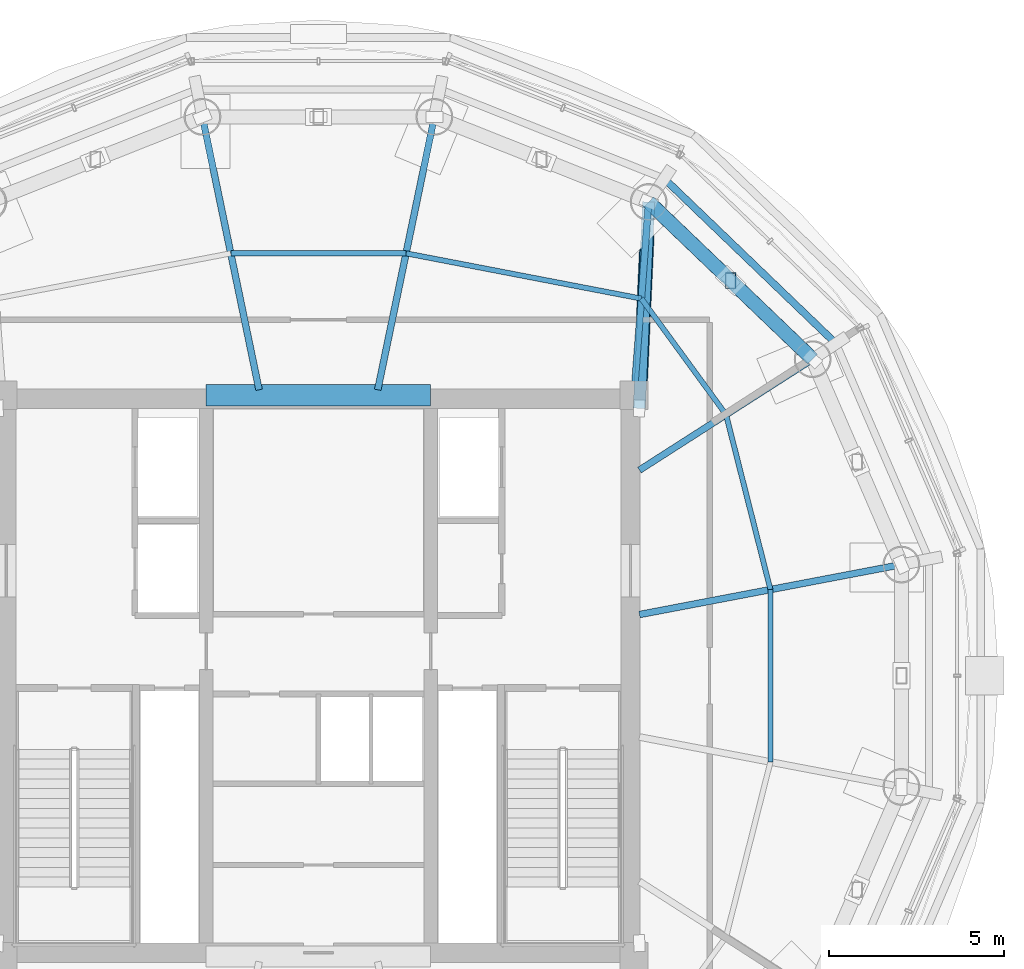
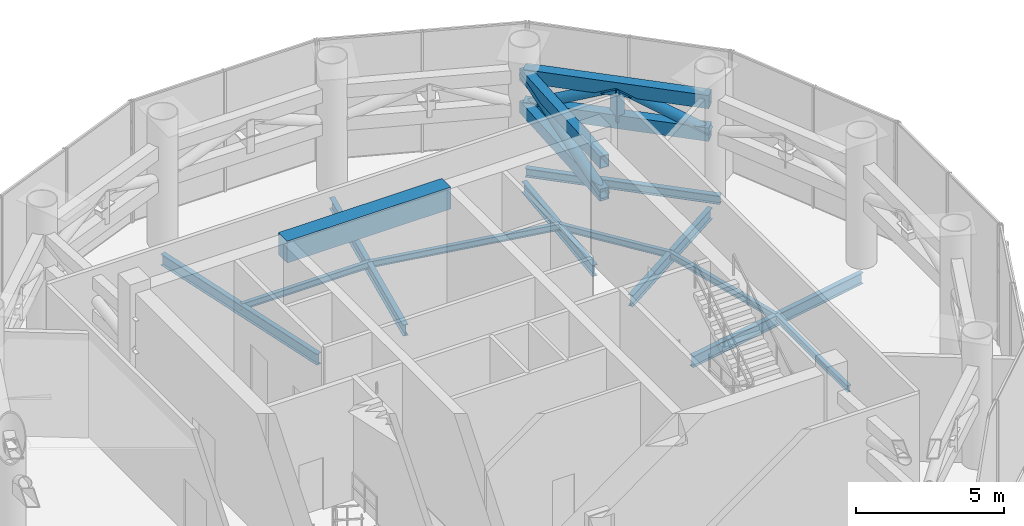
# One storey, part 9 of 21: 12 beams, 8 members.
"""IFC4 building model written with IfcOpenShell, lengths in metres."""

from ifc_helpers import new_model, si_unit, direction, frame, origin, origin_2d, place, context, subcontext, project, spatial, rectangle, hollow_rectangle, hollow_circle, i_section, extrude, source, transform, mapped, material, material_profile, profile_set, type_object, element, save


model = new_model("IFC4")

# Units and contexts
model_context = context("Model", 3, precision=1e-05, world=origin(), true_north=direction((-0.2419218956, 0.970295726276)))
body_context = subcontext(model_context, "Body", "Model", "MODEL_VIEW")
ifc_project = project(units=[si_unit("LENGTHUNIT", "METRE"), si_unit("AREAUNIT", "SQUARE_METRE"), si_unit("VOLUMEUNIT", "CUBIC_METRE"), si_unit("PLANEANGLEUNIT", "RADIAN"), si_unit("MASSUNIT", "GRAM", prefix="KILO")], contexts=[model_context])

# Site, building, storey
site_placement = place(None, origin())
site = spatial("IfcSite", under=ifc_project, at=site_placement, CompositionType="ELEMENT")
building_placement = place(site_placement, origin())
building = spatial("IfcBuilding", under=site, at=building_placement, Name="Cobrevalo Terracotta Tower", CompositionType="ELEMENT")
storey_placement = place(building_placement, frame((0.0, 0.0, 300.699951171875)))
storey = spatial("IfcBuildingStorey", under=building, at=storey_placement, Name="L79", CompositionType="ELEMENT", Elevation=300.699951171875)

# Beams
ifc_material_1 = material(Name="Concrete C60", Category="concrete")
ifc_material_profile_1 = material_profile(ifc_material_1, rectangle(XDim=0.60009765625, YDim=0.89990234375, at=origin_2d()), Name="RC CB 600x900")
ifc_profile_set_1 = profile_set([ifc_material_profile_1], Name="Concrete C60")
beam_type_1 = type_object("IfcBeamType", Name="Structural Beam RC CB 600x900 (Concrete C60)", PredefinedType="BEAM", material=ifc_profile_set_1)
beam_1_placement = place(storey_placement, frame((34.800048828125, 34.800048828125, 4.530029296875), z_axis=(1.0, 0.0, 0.0), x_axis=(0.0, 1.0, 0.0)))
element("IfcBeam", 1, at=beam_1_placement, inside=storey, type_object=beam_type_1, Name="L79 core coupling beam 2", PredefinedType="BEAM", context=body_context, shape_type="SweptSolid", body=[
    extrude(rectangle(XDim=0.60009765625, YDim=0.89990234375, at=origin_2d()), origin(), (0.0, 0.0, 1.0), 6.39990234375),
])
ifc_material_2 = material(Name="Steel S355", Category="steel")
ifc_material_profile_2 = material_profile(ifc_material_2, i_section(OverallWidth=0.19091796875, OverallDepth=0.4599609375, WebThickness=0.010009765625, FlangeThickness=0.01611328125, at=origin_2d()), Name="W 460x82")
ifc_profile_set_2 = profile_set([ifc_material_profile_2], Name="Steel S355")
beam_type_2 = type_object("IfcBeamType", Name="Structural Beam W 460x82 (Steel S355)", PredefinedType="BEAM", material=ifc_profile_set_2)
beam_2_placement = place(storey_placement, frame((54.624267578125, 29.97021484375, -0.679931640625), z_axis=(-0.982299763282, -0.187315709583, 0.0), x_axis=(0.187315709583, -0.982299763282, 0.0)))
element("IfcBeam", 2, at=beam_2_placement, inside=storey, type_object=beam_type_2, Name="L79 radial floor girder 01", PredefinedType="BEAM", context=body_context, shape_type="SweptSolid", body=[
    extrude(i_section(OverallWidth=0.19091796875, OverallDepth=0.4599609375, WebThickness=0.010009765625, FlangeThickness=0.01611328125, at=origin_2d()), origin(), (0.0, 0.0, 1.0), 7.603759765625),
])
beam_3_placement = place(storey_placement, frame((52.093505859375, 35.828125, -0.679931640625), z_axis=(-0.842043011216, -0.539410388538, 0.0), x_axis=(0.539410388538, -0.842043011216, 0.0)))
element("IfcBeam", 3, at=beam_3_placement, inside=storey, type_object=beam_type_2, Name="L79 radial floor girder 02", PredefinedType="BEAM", context=body_context, shape_type="SweptSolid", body=[
    extrude(i_section(OverallWidth=0.19091796875, OverallDepth=0.4599609375, WebThickness=0.010009765625, FlangeThickness=0.01611328125, at=origin_2d()), origin(), (0.0, 0.0, 1.0), 5.864990234375),
])
beam_4_placement = place(storey_placement, frame((47.4169921875, 40.311279296875, -0.679931640625), z_axis=(-0.075446616933, -0.997149842297, 0.0), x_axis=(0.997149842297, -0.075446616933, 0.0)))
element("IfcBeam", 4, at=beam_4_placement, inside=storey, type_object=beam_type_2, Name="L79 radial floor girder 03", PredefinedType="BEAM", context=body_context, shape_type="SweptSolid", body=[
    extrude(i_section(OverallWidth=0.19091796875, OverallDepth=0.4599609375, WebThickness=0.010009765625, FlangeThickness=0.01611328125, at=origin_2d()), origin(), (0.0, 0.0, 1.0), 5.527099609375),
])
for number, where, z_axis, x_axis, name in (
    (5, (41.306884765625, 42.73779296875, -0.679931640625), (-0.203181453885, -0.979141101577, 0.0), (0.979141101577, -0.203181453885, 0.0), "L79 radial floor girder 04"),
    (6, (34.693115234375, 42.73779296875, -0.679931640625), (0.203181453885, -0.979141101577, 0.0), (0.979141101577, 0.203181453885, 0.0), "L79 radial floor girder 05"),
):
    element("IfcBeam", number, at=place(storey_placement, frame(where, z_axis=z_axis, x_axis=x_axis)), inside=storey, type_object=beam_type_2, Name=name, PredefinedType="BEAM", context=body_context, shape_type="SweptSolid", body=[
        extrude(i_section(OverallWidth=0.19091796875, OverallDepth=0.4599609375, WebThickness=0.010009765625, FlangeThickness=0.01611328125, at=origin_2d()), origin(), (0.0, 0.0, 1.0), 7.948486328125),
    ])
ifc_material_profile_3 = material_profile(ifc_material_2, i_section(OverallWidth=0.14794921875, OverallDepth=0.26611328125, WebThickness=0.007568359375, FlangeThickness=0.012939453125, at=origin_2d()), Name="W 250x44.8")
ifc_profile_set_3 = profile_set([ifc_material_profile_3], Name="Steel S355")
beam_type_3 = type_object("IfcBeamType", Name="Structural Joist W 250x44.8 (Steel S355)", PredefinedType="JOIST", material=ifc_profile_set_3)
beam_5_placement = place(storey_placement, frame((50.8896484375, 29.258056640625, -0.5830078125), z_axis=(-0.24588290489, 0.969299539401, 0.0), x_axis=(-0.969299539401, -0.24588290489, 0.0)))
element("IfcBeam", 7, at=beam_5_placement, inside=storey, type_object=beam_type_3, Name="L79 circumferential secondary floor joist 01", PredefinedType="JOIST", context=body_context, shape_type="SweptSolid", body=[
    extrude(i_section(OverallWidth=0.14794921875, OverallDepth=0.26611328125, WebThickness=0.007568359375, FlangeThickness=0.012939453125, at=origin_2d()), origin(), (0.0, 0.0, 1.0), 5.146240234375),
])
beam_6_placement = place(storey_placement, frame((49.624267578125, 34.246337890625, -0.5830078125), z_axis=(-0.58960567256, 0.807691247251, 0.0), x_axis=(-0.807691247251, -0.58960567256, 0.0)))
element("IfcBeam", 8, at=beam_6_placement, inside=storey, type_object=beam_type_3, Name="L79 circumferential secondary floor joist 02", PredefinedType="JOIST", context=body_context, shape_type="SweptSolid", body=[
    extrude(i_section(OverallWidth=0.14794921875, OverallDepth=0.26611328125, WebThickness=0.007568359375, FlangeThickness=0.012939453125, at=origin_2d()), origin(), (0.0, 0.0, 1.0), 4.09716796875),
])
beam_7_placement = place(storey_placement, frame((47.20849609375, 37.5556640625, -0.5830078125), z_axis=(-0.981990640733, 0.188929567597, 0.0), x_axis=(-0.188929567597, -0.981990640733, 0.0)))
element("IfcBeam", 9, at=beam_7_placement, inside=storey, type_object=beam_type_3, Name="L79 circumferential secondary floor joist 03", PredefinedType="JOIST", context=body_context, shape_type="SweptSolid", body=[
    extrude(i_section(OverallWidth=0.14794921875, OverallDepth=0.26611328125, WebThickness=0.007568359375, FlangeThickness=0.012939453125, at=origin_2d()), origin(), (0.0, 0.0, 1.0), 6.83203125),
])
beam_8_placement = place(storey_placement, frame((40.49951171875, 38.846435546875, -0.5830078125), z_axis=(-1.0, 0.0, 0.0), x_axis=(0.0, -1.0, 0.0)))
element("IfcBeam", 10, at=beam_8_placement, inside=storey, type_object=beam_type_3, Name="L79 circumferential secondary floor joist 04", PredefinedType="JOIST", context=body_context, shape_type="SweptSolid", body=[
    extrude(i_section(OverallWidth=0.14794921875, OverallDepth=0.26611328125, WebThickness=0.007568359375, FlangeThickness=0.012939453125, at=origin_2d()), origin(), (0.0, 0.0, 1.0), 4.9990234375),
])
beam_9_placement = place(storey_placement, frame((50.8896484375, 24.342041015625, -0.5830078125), z_axis=(0.0, 1.0, 0.0), x_axis=(-1.0, 0.0, 0.0)))
element("IfcBeam", 11, at=beam_9_placement, inside=storey, type_object=beam_type_3, Name="L79 circumferential secondary floor joist 16", PredefinedType="JOIST", context=body_context, shape_type="SweptSolid", body=[
    extrude(i_section(OverallWidth=0.14794921875, OverallDepth=0.26611328125, WebThickness=0.007568359375, FlangeThickness=0.012939453125, at=origin_2d()), origin(), (0.0, 0.0, 1.0), 4.916015625),
])
ifc_material_profile_4 = material_profile(ifc_material_2, i_section(OverallWidth=0.205078125, OverallDepth=0.35400390625, WebThickness=0.009521484375, FlangeThickness=0.016845703125, at=origin_2d()), Name="W 360x79")
ifc_profile_set_4 = profile_set([ifc_material_profile_4], Name="Steel S355")
beam_type_4 = type_object("IfcBeamType", Name="Structural Spandrel W 360x79 (Steel S355)", PredefinedType="SPANDREL", material=ifc_profile_set_4)
beam_10_placement = place(storey_placement, frame((52.758544921875, 36.2724609375, -0.626953125), z_axis=(-0.721183246144, 0.692744343522, 0.0), x_axis=(-0.692744343522, -0.721183246144, 0.0)))
element("IfcBeam", 12, at=beam_10_placement, inside=storey, type_object=beam_type_4, Name="L79 perimeter ring spandrel 02", PredefinedType="SPANDREL", context=body_context, shape_type="SweptSolid", body=[
    extrude(i_section(OverallWidth=0.205078125, OverallDepth=0.35400390625, WebThickness=0.009521484375, FlangeThickness=0.016845703125, at=origin_2d()), origin(), (0.0, 0.0, 1.0), 6.79052734375),
])

# Members
ifc_material_profile_5 = material_profile(ifc_material_2, hollow_rectangle(XDim=0.300048828125, YDim=0.449951171875, WallThickness=0.02001953125, at=origin_2d()), Name="RHS 450x300x20")
ifc_profile_set_5 = profile_set([ifc_material_profile_5], Name="Steel S355")
member_type_1 = type_object("IfcMemberType", Name="Steel Post RHS 450x300x20 (Steel S355)", PredefinedType="POST", material=ifc_profile_set_5)
shared_shape_1 = source(origin(), body_context, "Body", "SweptSolid", [
    extrude(hollow_rectangle(XDim=0.300048828125, YDim=0.449951171875, WallThickness=0.02001953125, at=origin_2d()), origin(), (0.0, 0.0, 1.0), 1.349853515625),
])
member_1_placement = place(storey_placement, frame((49.755126953125, 38.069580078125, 2.650146484375), z_axis=(0.0, 0.0, 1.0), x_axis=(1.0, 0.0, 0.0)))
element("IfcMember", 13, at=member_1_placement, inside=storey, type_object=member_type_1, Name="L79 belt truss post 02", PredefinedType="POST", context=body_context, shape_type="MappedRepresentation", body=[
    mapped(shared_shape_1, transform((0.0, 0.0, 0.0), scale=1.0)),
])
ifc_material_profile_6 = material_profile(ifc_material_2, hollow_rectangle(XDim=0.39990234375, YDim=0.550048828125, WallThickness=0.02490234375, at=origin_2d()), Name="RHS 550x400x25")
ifc_profile_set_6 = profile_set([ifc_material_profile_6], Name="Steel S355")
member_type_2 = type_object("IfcMemberType", Name="Steel Chord RHS 550x400x25 (Steel S355)", PredefinedType="CHORD", material=ifc_profile_set_6)
shared_shape_2 = source(origin(), body_context, "Body", "SweptSolid", [
    extrude(hollow_rectangle(XDim=0.39990234375, YDim=0.550048828125, WallThickness=0.02490234375, at=origin_2d()), origin(), (0.0, 0.0, 1.0), 6.478271484375),
])
for number, where, z_axis, x_axis, name in (
    (14, (52.093505859375, 35.828125, 2.650146484375), (-0.721872886551, 0.69202567558, 0.0), (-0.69202567558, -0.721872886551, 0.0), "L79 belt truss chord 02-BC"),
    (15, (52.093505859375, 35.828125, 4.0), (-0.721872886551, 0.69202567558, 0.0), (-0.69202567558, -0.721872886551, 0.0), "L79 belt truss chord 02-TC"),
):
    element("IfcMember", number, at=place(storey_placement, frame(where, z_axis=z_axis, x_axis=x_axis)), inside=storey, type_object=member_type_2, Name=name, PredefinedType="CHORD", context=body_context, shape_type="MappedRepresentation", body=[
        mapped(shared_shape_2, transform((0.0, 0.0, 0.0), scale=1.0)),
    ])
ifc_material_profile_7 = material_profile(ifc_material_2, hollow_circle(Radius=0.202880859375, WallThickness=0.01611328125, at=origin_2d()), Name="CHS 406x16")
ifc_profile_set_7 = profile_set([ifc_material_profile_7], Name="Steel S355")
member_type_3 = type_object("IfcMemberType", Name="Steel Brace CHS 406x16 (Steel S355)", PredefinedType="BRACE", material=ifc_profile_set_7)
shared_shape_3 = source(origin(), body_context, "Body", "SweptSolid", [
    extrude(hollow_circle(Radius=0.202880859375, WallThickness=0.01611328125, at=origin_2d()), origin(), (0.0, 0.0, 1.0), 3.50927734375),
])
for number, where, z_axis, x_axis, name in (
    (16, (52.093505859375, 35.828125, 2.650146484375), (-0.666363276891, 0.638743082599, 0.384665124027), (-0.691987210366, -0.721909759382, 0.0), "L79 belt truss diagonal brace 02-D1"),
    (17, (47.4169921875, 40.311279296875, 2.650146484375), (0.666294981742, -0.638813879331, 0.38466586134), (0.692064138917, 0.721836011588, 0.0), "L79 belt truss diagonal brace 02-D2"),
):
    element("IfcMember", number, at=place(storey_placement, frame(where, z_axis=z_axis, x_axis=x_axis)), inside=storey, type_object=member_type_3, Name=name, PredefinedType="BRACE", context=body_context, shape_type="MappedRepresentation", body=[
        mapped(shared_shape_3, transform((0.0, 0.0, 0.0), scale=1.0)),
    ])
ifc_material_profile_8 = material_profile(ifc_material_2, hollow_rectangle(XDim=0.35009765625, YDim=0.5, WallThickness=0.02197265625, at=origin_2d()), Name="RHS 500x350x22")
ifc_profile_set_8 = profile_set([ifc_material_profile_8], Name="Steel S355")
member_type_4 = type_object("IfcMemberType", Name="Steel Chord RHS 500x350x22 (Steel S355)", PredefinedType="CHORD", material=ifc_profile_set_8)
shared_shape_4 = source(origin(), body_context, "Body", "SweptSolid", [
    extrude(hollow_rectangle(XDim=0.35009765625, YDim=0.5, WallThickness=0.02197265625, at=origin_2d()), origin(), (0.0, 0.0, 1.0), 5.892333984375),
])
for number, where, z_axis, x_axis, name in (
    (18, (47.14990234375, 34.425048828125, 2.650146484375), (0.045328722727, 0.998972125185, 0.0), (-0.998972125185, 0.045328722727, 0.0), "L79 radial outrigger bottom chord 1"),
    (19, (47.14990234375, 34.425048828125, 4.0), (0.045328722727, 0.998972125185, 0.0), (-0.998972125185, 0.045328722727, 0.0), "L79 radial outrigger top chord 1"),
):
    element("IfcMember", number, at=place(storey_placement, frame(where, z_axis=z_axis, x_axis=x_axis)), inside=storey, type_object=member_type_4, Name=name, PredefinedType="CHORD", context=body_context, shape_type="MappedRepresentation", body=[
        mapped(shared_shape_4, transform((0.0, 0.0, 0.0), scale=1.0)),
    ])
shared_shape_5 = source(origin(), body_context, "Body", "SweptSolid", [
    extrude(hollow_circle(Radius=0.202880859375, WallThickness=0.01611328125, at=origin_2d()), origin(), (0.0, 0.0, 1.0), 6.044921875),
])
member_2_placement = place(storey_placement, frame((47.14990234375, 34.425048828125, 2.650146484375), z_axis=(0.044184125599, 0.973747045873, 0.223303501312), x_axis=(-0.998972125185, 0.045328722727, 0.0)))
element("IfcMember", 20, at=member_2_placement, inside=storey, type_object=member_type_3, Name="L79 radial outrigger diagonal brace 1A", PredefinedType="BRACE", context=body_context, shape_type="MappedRepresentation", body=[
    mapped(shared_shape_5, transform((0.0, 0.0, 0.0), scale=1.0)),
])

save(model, "model.ifc")
